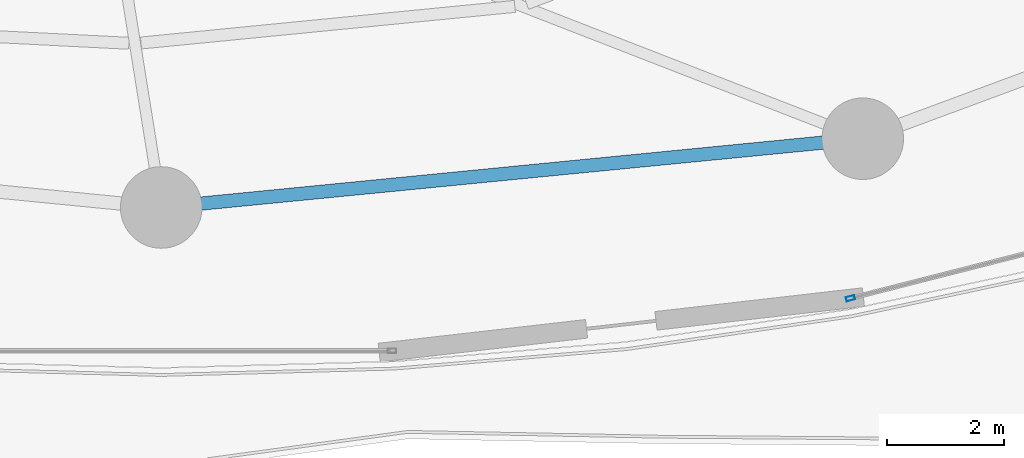
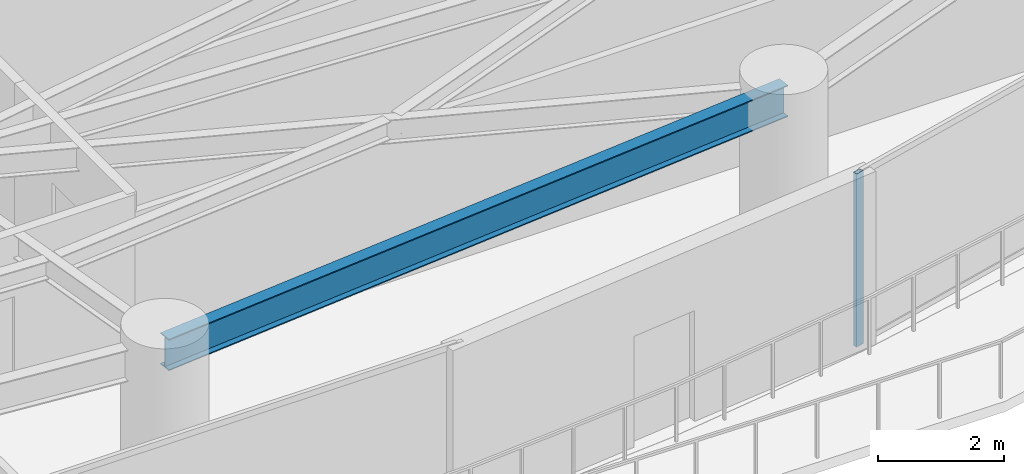
# One storey, part 11 of 31: 1 beam, 1 member, 1 element without a shape of its own.
"""IFC4 building model written with IfcOpenShell, lengths in metres."""

import ifcopenshell
import ifcopenshell.guid

model = None  # the IFC model being written
_history = None  # IfcOwnerHistory: only IFC2X3 demands one
_inside = {}  # id of a spatial element -> (the spatial element, [elements in it])
_under = {}  # id of a project, library or spatial element -> (it, [spatial elements below it])
_declared = {}  # id of a project -> (the project, [libraries it declares])
_typed = {}  # id of a type object -> (the type object, [elements of that type])
_made_of = {}  # id of a material, layer set ... -> (it, [elements and type objects made of it])


def new_model(schema):
    """Start an empty IFC model of exactly this schema.

    Asked for "IFC4X3", IfcOpenShell would pick the latest addendum, in which some entities
    have other attributes; the version numbers below select the first issue.
    IFC2X3 requires an IfcOwnerHistory on every rooted entity: one is made here for all.
    """
    global model, _history
    if schema == "IFC4X3":
        model = ifcopenshell.file(schema_version=(4, 3, 0, 0))
    else:
        model = ifcopenshell.file(schema=schema)
    _inside.clear()
    _under.clear()
    _declared.clear()
    _typed.clear()
    _made_of.clear()
    _history = None
    if model.schema == "IFC2X3":
        org = make("IfcOrganization", Name="unknown")
        user = make(
            "IfcPersonAndOrganization",
            ThePerson=make("IfcPerson", FamilyName="unknown"),
            TheOrganization=org,
        )
        app = make(
            "IfcApplication",
            ApplicationDeveloper=org,
            Version="unknown",
            ApplicationFullName="unknown",
            ApplicationIdentifier="unknown",
        )
        _history = make(
            "IfcOwnerHistory",
            OwningUser=user,
            OwningApplication=app,
            ChangeAction="ADDED",
            CreationDate=0,
        )
    return model


def make(cls, **values):
    """One entity of the class cls with the attributes given. An attribute that is None is left unset."""
    return model.create_entity(
        cls, **{name: value for name, value in values.items() if value is not None}
    )


def rooted(cls, **values):
    """An entity with a GlobalId (a new one), such as an element, a storey or a relation."""
    return make(cls, GlobalId=ifcopenshell.guid.new(), OwnerHistory=_history, **values)


def si_unit(unit_type, name, prefix=None):
    """IfcSIUnit, for example si_unit("LENGTHUNIT", "METRE", prefix="MILLI")."""
    return make("IfcSIUnit", UnitType=unit_type, Prefix=prefix, Name=name)


def assignment(units):
    """IfcUnitAssignment: the units of a project."""
    return None if units is None else make("IfcUnitAssignment", Units=units)


def point(xyz):
    """IfcCartesianPoint."""
    return None if xyz is None else make("IfcCartesianPoint", Coordinates=xyz)


def direction(xyz):
    """IfcDirection."""
    return None if xyz is None else make("IfcDirection", DirectionRatios=xyz)


def frame(location, z_axis=None, x_axis=None):
    """IfcAxis2Placement3D, a coordinate frame: its origin and axes. An axis left out is left unset."""
    return make(
        "IfcAxis2Placement3D",
        Location=point(location),
        Axis=direction(z_axis),
        RefDirection=direction(x_axis),
    )


def frame_2d(location, x_axis=None):
    """IfcAxis2Placement2D, a coordinate frame in the plane: its origin and x axis."""
    return make(
        "IfcAxis2Placement2D", Location=point(location), RefDirection=direction(x_axis)
    )


def origin():
    """The frame at (0, 0, 0) with its axes left unset."""
    return frame((0.0, 0.0, 0.0))


def origin_2d():
    """The frame at (0, 0) in the plane with its x axis left unset."""
    return frame_2d((0.0, 0.0))


def place(relative_to, where):
    """IfcLocalPlacement: puts the frame where relative to a parent placement (None: the world)."""
    return make(
        "IfcLocalPlacement", PlacementRelTo=relative_to, RelativePlacement=where
    )


def context(
    kind, dimensions, precision=None, world=None, true_north=None, identifier=None
):
    """IfcGeometricRepresentationContext, for example the 3D "Model" context."""
    return make(
        "IfcGeometricRepresentationContext",
        ContextIdentifier=identifier,
        ContextType=kind,
        CoordinateSpaceDimension=dimensions,
        Precision=precision,
        WorldCoordinateSystem=world,
        TrueNorth=true_north,
    )


def subcontext(parent, identifier, kind, view, scale=None):
    """IfcGeometricRepresentationSubContext, for example "Body" below "Model"."""
    return make(
        "IfcGeometricRepresentationSubContext",
        ContextIdentifier=identifier,
        ContextType=kind,
        ParentContext=parent,
        TargetScale=scale,
        TargetView=view,
    )


def project(units=None, contexts=None):
    """IfcProject with its units and contexts."""
    return rooted(
        "IfcProject",
        Name="project",
        RepresentationContexts=contexts,
        UnitsInContext=assignment(units),
    )


def spatial(cls, under=None, at=None, **own):
    """A site, building, storey or space (cls), placed at a placement, below another one or the project."""
    s = rooted(cls, ObjectPlacement=at, **own)
    if under is not None:
        _under.setdefault(under.id(), (under, []))[1].append(s)
    return s


def profile(cls, at=None, kind="AREA", **sizes):
    """A parametric profile (cls). Its sizes go by their IFC names, for example OverallWidth=200.0."""
    return make(cls, ProfileType=kind, Position=at, **sizes)


def hollow_rectangle(**sizes):
    """IfcRectangleHollowProfileDef."""
    return profile("IfcRectangleHollowProfileDef", **sizes)


def i_section(**sizes):
    """IfcIShapeProfileDef."""
    return profile("IfcIShapeProfileDef", **sizes)


def extrude(swept, where, along, depth):
    """IfcExtrudedAreaSolid: the profile swept, set in the frame where, extruded along a direction by depth."""
    return make(
        "IfcExtrudedAreaSolid",
        SweptArea=swept,
        Position=where,
        ExtrudedDirection=direction(along),
        Depth=depth,
    )


def shape(context_of_items, identifier, shape_type, items):
    """IfcShapeRepresentation: the items that make up one representation, for example the "Body"."""
    return make(
        "IfcShapeRepresentation",
        ContextOfItems=context_of_items,
        RepresentationIdentifier=identifier,
        RepresentationType=shape_type,
        Items=items,
    )


def material(Name=None, Category=None):
    """IfcMaterial."""
    return make("IfcMaterial", Name=Name, Category=Category)


def layer(
    of_material, thickness, ventilated=None, Name=None, Category=None, Priority=None
):
    """IfcMaterialLayer: one layer of a wall or slab, of a material (None: an air gap)."""
    return make(
        "IfcMaterialLayer",
        Material=of_material,
        LayerThickness=thickness,
        IsVentilated=ventilated,
        Name=Name,
        Category=Category,
        Priority=Priority,
    )


def layer_set(layers, Name=None):
    """IfcMaterialLayerSet."""
    return make("IfcMaterialLayerSet", MaterialLayers=layers, LayerSetName=Name)


def material_profile(
    of_material, cross_section, Name=None, Category=None, Priority=None
):
    """IfcMaterialProfile: a cross section and its material."""
    return make(
        "IfcMaterialProfile",
        Name=Name,
        Material=of_material,
        Profile=cross_section,
        Priority=Priority,
        Category=Category,
    )


def profile_set(profiles, Name=None, composite=None):
    """IfcMaterialProfileSet."""
    return make(
        "IfcMaterialProfileSet",
        Name=Name,
        MaterialProfiles=profiles,
        CompositeProfile=composite,
    )


def made_of(thing, what):
    """Note that an element or type object is made of a material, layer set ...; save() writes the relation."""
    if what is not None:
        _made_of.setdefault(what.id(), (what, []))[1].append(thing)
    return thing


def type_object(cls, material=None, **own):
    """A type object (cls), such as IfcWallType, which elements share."""
    return made_of(rooted(cls, **own), material)


def element(
    cls,
    number,
    at=None,
    inside=None,
    cuts=None,
    type_object=None,
    material=None,
    context=None,
    identifier="Body",
    shape_type=None,
    held_by="IfcProductDefinitionShape",
    body=None,
    shapes=None,
    **own,
):
    """One element of the class cls, such as IfcWall. Its Tag is "e" and its number.

    at: its placement. inside: the storey or other place that contains it. cuts: it is an
    opening in that element (IfcRelVoidsElement). A single representation is given by context,
    identifier, shape_type and body (its items); several are given by shapes. held_by: the class
    of the entity that holds the representations. save() writes the other relations.
    """
    e = rooted(cls, Tag="e%d" % number, ObjectPlacement=at, **own)
    if body is not None:
        shapes = [shape(context, identifier, shape_type, body)]
    if shapes is not None:
        e.Representation = make(held_by, Representations=shapes)
    if inside is not None:
        _inside.setdefault(inside.id(), (inside, []))[1].append(e)
    if cuts is not None:
        rooted(
            "IfcRelVoidsElement", RelatingBuildingElement=cuts, RelatedOpeningElement=e
        )
    if type_object is not None:
        _typed.setdefault(type_object.id(), (type_object, []))[1].append(e)
    return made_of(e, material)


def aggregate(whole, parts):
    """IfcRelAggregates: a whole, such as a stair, and the parts it consists of."""
    return rooted("IfcRelAggregates", RelatingObject=whole, RelatedObjects=parts)


def save(model, path):
    """Write the relations noted so far, then the file.

    IfcRelAggregates (storeys below a building ...), IfcRelContainedInSpatialStructure (elements
    in a storey), IfcRelDefinesByType, IfcRelAssociatesMaterial and IfcRelDeclares: one each for
    every whole, place, type object, material and project.
    """
    for whole, parts in _under.values():
        aggregate(whole, parts)
    for where, things in _inside.values():
        rooted(
            "IfcRelContainedInSpatialStructure",
            RelatedElements=things,
            RelatingStructure=where,
        )
    for kind, things in _typed.values():
        rooted("IfcRelDefinesByType", RelatedObjects=things, RelatingType=kind)
    for what, things in _made_of.values():
        rooted("IfcRelAssociatesMaterial", RelatedObjects=things, RelatingMaterial=what)
    for by, libraries in _declared.values():
        rooted("IfcRelDeclares", RelatingContext=by, RelatedDefinitions=libraries)
    model.write(path)


model = new_model("IFC4")

# Units and contexts
model_context = context("Model", 3, precision=1e-05, world=origin(), true_north=direction((0.0, 1.0)))
body_context = subcontext(model_context, "Body", "Model", "MODEL_VIEW")
ifc_project = project(units=[si_unit("LENGTHUNIT", "METRE"), si_unit("AREAUNIT", "SQUARE_METRE"), si_unit("VOLUMEUNIT", "CUBIC_METRE"), si_unit("PLANEANGLEUNIT", "RADIAN"), si_unit("MASSUNIT", "GRAM", prefix="KILO")], contexts=[model_context])

# Site, building, storey
site_placement = place(None, origin())
site = spatial("IfcSite", under=ifc_project, at=site_placement, CompositionType="ELEMENT")
building_placement = place(site_placement, origin())
building = spatial("IfcBuilding", under=site, at=building_placement, Name="Kazevale Care Tower and Concert Hall", CompositionType="ELEMENT")
storey_placement = place(building_placement, frame((0.0, 0.0, 60.0)))
storey = spatial("IfcBuildingStorey", under=building, at=storey_placement, Name="L15", CompositionType="ELEMENT", Elevation=60.0)

# Curtain wall, member
ifc_material_1 = material(Name="Aluminium 6063-T6 and Low-E Glass", Category="aluminium")
ifc_layer = layer(ifc_material_1, 0.179931640625)
ifc_layer_set = layer_set([ifc_layer], Name="Aluminium 6063-T6 and Low-E Glass")
curtain_wall_type = type_object("IfcCurtainWallType", Name="Sheltered Concave Balcony Curtain Wall CW-5", PredefinedType="NOTDEFINED", material=ifc_layer_set)
curtain_wall_placement = place(storey_placement, origin())
curtain_wall = element("IfcCurtainWall", 1, at=curtain_wall_placement, inside=storey, type_object=curtain_wall_type, Name="cw:L15:f04", PredefinedType="NOTDEFINED")
ifc_material_2 = material(Name="Aluminium 6063-T6", Category="aluminium")
ifc_material_profile_1 = material_profile(ifc_material_2, hollow_rectangle(XDim=0.074951171875, YDim=0.14990234375, WallThickness=0.00390625, at=origin_2d()), Name="ALU75x150x4")
ifc_profile_set_1 = profile_set([ifc_material_profile_1], Name="Aluminium 6063-T6")
member_type = type_object("IfcMemberType", Name="CW-5 Mullion ALU75x150x4", PredefinedType="MULLION", material=ifc_profile_set_1)
member_placement = place(storey_placement, frame((56.828369140625, 15.791259765625, 0.0), z_axis=(0.0, 0.0, 1.0), x_axis=(0.247221864936, -0.968958899798, 0.0)))
member = element("IfcMember", 2, at=member_placement, type_object=member_type, Name="CW-5 mullion 2", PredefinedType="MULLION", context=body_context, shape_type="SweptSolid", body=[
    extrude(hollow_rectangle(XDim=0.074951171875, YDim=0.14990234375, WallThickness=0.00390625, at=origin_2d()), origin(), (0.0, 0.0, 1.0), 3.360107421875),
])
aggregate(curtain_wall, [member])

# Beam
ifc_material_3 = material(Name="Steel ASTM A572 Gr 50", Category="steel")
ifc_material_profile_2 = material_profile(ifc_material_3, i_section(OverallWidth=0.22900390625, OverallDepth=0.612060546875, WebThickness=0.011962890625, FlangeThickness=0.01953125, at=origin_2d()), Name="W610x125")
ifc_profile_set_2 = profile_set([ifc_material_profile_2], Name="Steel ASTM A572 Gr 50")
beam_type = type_object("IfcBeamType", Name="Ring Spandrel Beam W610x125", PredefinedType="SPANDREL", material=ifc_profile_set_2)
beam_placement = place(storey_placement, frame((45.0, 17.35009765625, 3.053955078125), z_axis=(0.995232251602, 0.09753340644, 0.0), x_axis=(-0.09753340644, 0.995232251602, 0.0)))
element("IfcBeam", 3, at=beam_placement, inside=storey, type_object=beam_type, Name="beam:L15:ring:13", PredefinedType="SPANDREL", context=body_context, shape_type="SweptSolid", body=[
    extrude(i_section(OverallWidth=0.22900390625, OverallDepth=0.612060546875, WebThickness=0.011962890625, FlangeThickness=0.01953125, at=origin_2d()), origin(), (0.0, 0.0, 1.0), 12.09765625),
])

save(model, "model.ifc")
